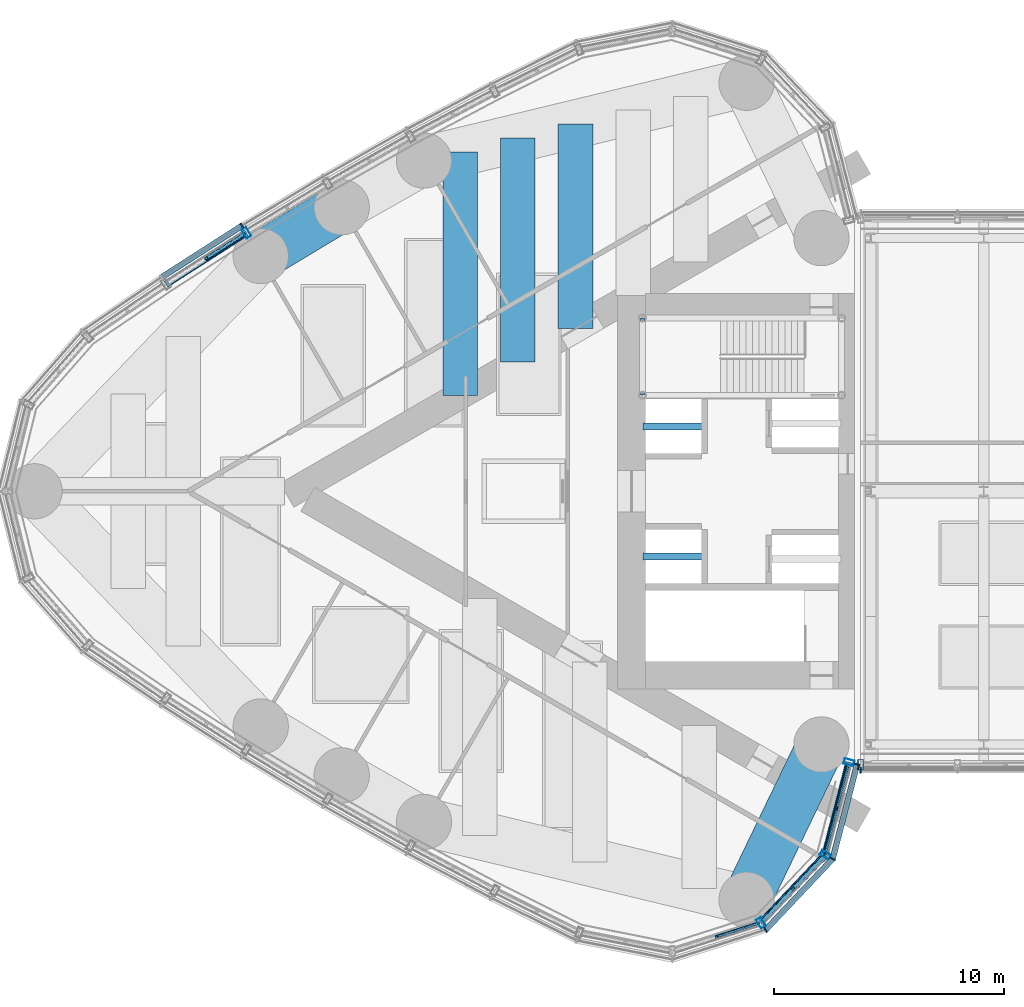
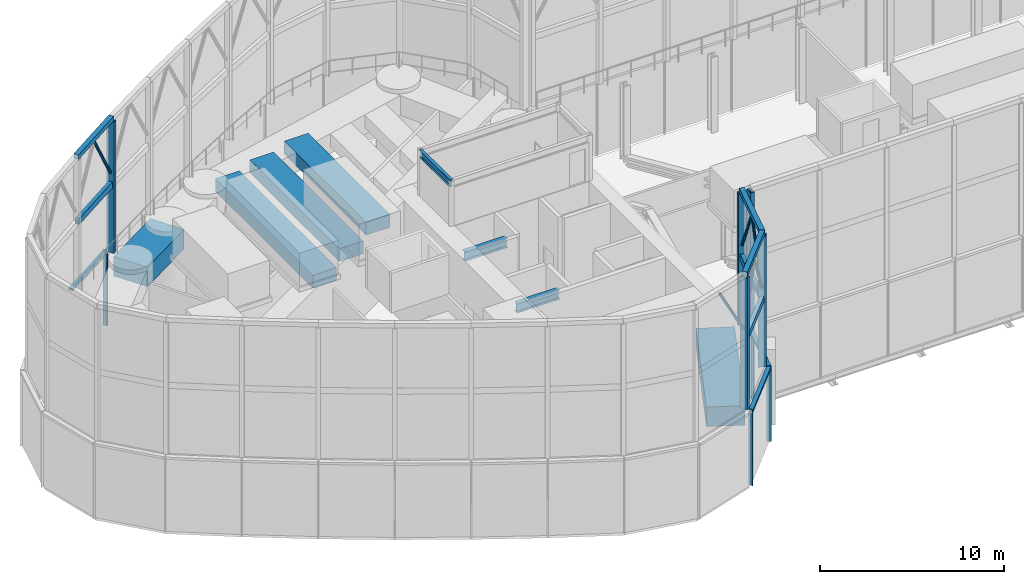
# One storey, part 9 of 33: 25 members, 8 beams, 4 elements without a shape of their own.
"""IFC4 building model written with IfcOpenShell, lengths in metres."""

from ifc_helpers import new_model, si_unit, direction, frame, origin, origin_2d, place, context, subcontext, project, spatial, rectangle, hollow_rectangle, hollow_circle, i_section, extrude, material, material_profile, profile_set, type_object, element, aggregate, save


model = new_model("IFC4")

# Units and contexts
model_context = context("Model", 3, precision=1e-05, world=origin(), true_north=direction((0.0, 1.0)))
body_context = subcontext(model_context, "Body", "Model", "MODEL_VIEW")
ifc_project = project(units=[si_unit("LENGTHUNIT", "METRE"), si_unit("AREAUNIT", "SQUARE_METRE"), si_unit("VOLUMEUNIT", "CUBIC_METRE"), si_unit("PLANEANGLEUNIT", "RADIAN"), si_unit("MASSUNIT", "GRAM", prefix="KILO")], contexts=[model_context])

# Site, building, storey
site_placement = place(None, origin())
site = spatial("IfcSite", under=ifc_project, at=site_placement, CompositionType="ELEMENT")
building_placement = place(site_placement, origin())
building = spatial("IfcBuilding", under=site, at=building_placement, Name="Lancet Gate Hotel", CompositionType="ELEMENT")
storey_placement = place(building_placement, frame((0.0, 0.0, 268.300048828125)))
storey = spatial("IfcBuildingStorey", under=building, at=storey_placement, Name="L70", CompositionType="ELEMENT", Elevation=268.300048828125)

# Curtain wall, members
ifc_material_1 = material(Name="Aluminium curtain wall", Category="aluminium")
curtain_wall_type_1 = type_object("IfcCurtainWallType", Name="Lantern crown glazing", PredefinedType="USERDEFINED", material=ifc_material_1)
curtain_wall_1_placement = place(storey_placement, origin())
curtain_wall_1 = element("IfcCurtainWall", 1, at=curtain_wall_1_placement, inside=storey, type_object=curtain_wall_type_1, Name="T1 L70 curtain wall 1", ObjectType="LANTERN GLAZING", PredefinedType="USERDEFINED")
ifc_material_2 = material(Name="Aluminium mullion", Category="aluminium")
ifc_material_profile_1 = material_profile(ifc_material_2, rectangle(XDim=0.06494140625, YDim=0.25, at=origin_2d()), Name="MULLION 65x250")
ifc_profile_set_1 = profile_set([ifc_material_profile_1], Name="Aluminium mullion")
member_type_1 = type_object("IfcMemberType", Name="Aluminium mullion 65x250", PredefinedType="MULLION", material=ifc_profile_set_1)
member_1_placement = place(storey_placement, frame((-54.225830078125, 11.535400390625, 0.0), z_axis=(0.0, 0.0, 1.0), x_axis=(-0.849342388216, -0.527842313176, 0.0)))
member_1 = element("IfcMember", 2, at=member_1_placement, type_object=member_type_1, Name="T1 L70 curtain wall 1 mullion 9", PredefinedType="MULLION", context=body_context, shape_type="SweptSolid", body=[
    extrude(rectangle(XDim=0.06494140625, YDim=0.25, at=origin_2d()), origin(), (0.0, 0.0, 1.0), 5.0),
])
member_2_placement = place(storey_placement, frame((-31.476318359375, -19.0576171875, 0.0), z_axis=(0.0, 0.0, 1.0), x_axis=(0.846612863, 0.532209225966, 0.0)))
member_2 = element("IfcMember", 3, at=member_2_placement, type_object=member_type_1, Name="T1 L70 curtain wall 1 mullion 23", PredefinedType="MULLION", context=body_context, shape_type="SweptSolid", body=[
    extrude(rectangle(XDim=0.06494140625, YDim=0.25, at=origin_2d()), origin(), (0.0, 0.0, 1.0), 5.0),
])
member_3_placement = place(storey_placement, frame((-28.56005859375, -15.97216796875, 0.0), z_axis=(0.0, 0.0, 1.0), x_axis=(0.483627322447, 0.875274021654, 0.0)))
member_3 = element("IfcMember", 4, at=member_3_placement, type_object=member_type_1, Name="T1 L70 curtain wall 1 mullion 24", PredefinedType="MULLION", context=body_context, shape_type="SweptSolid", body=[
    extrude(rectangle(XDim=0.06494140625, YDim=0.25, at=origin_2d()), origin(), (0.0, 0.0, 1.0), 5.0),
])
member_4_placement = place(storey_placement, frame((-27.5, -11.861572265625, 0.0), z_axis=(0.0, 0.0, 1.0), x_axis=(0.249725827997, 0.968316586056, 0.0)))
member_4 = element("IfcMember", 5, at=member_4_placement, type_object=member_type_1, Name="T1 L70 curtain wall 1 mullion 25", PredefinedType="MULLION", context=body_context, shape_type="SweptSolid", body=[
    extrude(rectangle(XDim=0.06494140625, YDim=0.25, at=origin_2d()), origin(), (0.0, 0.0, 1.0), 5.0),
])

# Curtain wall, member
curtain_wall_2_placement = place(storey_placement, origin())
curtain_wall_2 = element("IfcCurtainWall", 6, at=curtain_wall_2_placement, inside=storey, type_object=curtain_wall_type_1, Name="Bridge block L70 curtain wall S", ObjectType="LANTERN GLAZING", PredefinedType="USERDEFINED")
member_5_placement = place(storey_placement, frame((-27.35009765625, -12.1201171875, 0.0), z_axis=(0.0, 0.0, 1.0), x_axis=(1.0, 0.0, 0.0)))
member_5 = element("IfcMember", 7, at=member_5_placement, type_object=member_type_1, Name="Bridge block L70 curtain wall S mullion 1", PredefinedType="MULLION", context=body_context, shape_type="SweptSolid", body=[
    extrude(rectangle(XDim=0.06494140625, YDim=0.25, at=origin_2d()), origin(), (0.0, 0.0, 1.0), 5.0),
])
aggregate(curtain_wall_2, [member_5])

# Member
ifc_material_3 = material(Name="Aluminium transom", Category="aluminium")
ifc_material_profile_2 = material_profile(ifc_material_3, rectangle(XDim=0.25, YDim=0.14990234375, at=origin_2d()), Name="TRANSOM 250x150")
ifc_profile_set_2 = profile_set([ifc_material_profile_2], Name="Aluminium transom")
member_type_2 = type_object("IfcMemberType", Name="Aluminium transom 250x150", PredefinedType="USERDEFINED", material=ifc_profile_set_2)
member_6_placement = place(storey_placement, frame((-54.253173828125, 11.51806640625, 4.925048828125), z_axis=(-0.842144358733, -0.539252147937, 0.0), x_axis=(0.539252147937, -0.842144358733, 0.0)))
member_6 = element("IfcMember", 8, at=member_6_placement, type_object=member_type_2, Name="T1 L70 curtain wall 1 transom 9", ObjectType="TRANSOM", PredefinedType="USERDEFINED", context=body_context, shape_type="SweptSolid", body=[
    extrude(rectangle(XDim=0.25, YDim=0.14990234375, at=origin_2d()), origin(), (0.0, 0.0, 1.0), 4.084228515625),
])

member_7_placement = place(storey_placement, frame((-31.453857421875, -19.033935546875, 4.925048828125), z_axis=(0.686880731091, 0.726770157103, 0.0), x_axis=(-0.726770157103, 0.686880731091, 0.0)))
member_7 = element("IfcMember", 9, at=member_7_placement, type_object=member_type_2, Name="T1 L70 curtain wall 1 transom 23", ObjectType="TRANSOM", PredefinedType="USERDEFINED", context=body_context, shape_type="SweptSolid", body=[
    extrude(rectangle(XDim=0.25, YDim=0.14990234375, at=origin_2d()), origin(), (0.0, 0.0, 1.0), 4.18017578125),
])

member_8_placement = place(storey_placement, frame((-28.552001953125, -15.94091796875, 4.925048828125), z_axis=(0.249715522936, 0.968319243641, 0.0), x_axis=(-0.968319243641, 0.249715522936, 0.0)))
member_8 = element("IfcMember", 10, at=member_8_placement, type_object=member_type_2, Name="T1 L70 curtain wall 1 transom 24", ObjectType="TRANSOM", PredefinedType="USERDEFINED", context=body_context, shape_type="SweptSolid", body=[
    extrude(rectangle(XDim=0.25, YDim=0.14990234375, at=origin_2d()), origin(), (0.0, 0.0, 1.0), 4.180419921875),
])

aggregate(curtain_wall_1, [member_1, member_2, member_3, member_4, member_6, member_7, member_8])

# Beams
ifc_material_4 = material(Name="Concrete C50/60", Category="concrete")
ifc_material_profile_3 = material_profile(ifc_material_4, rectangle(XDim=2.10009765625, YDim=1.300048828125, at=origin_2d()), Name="RC 2100x1300")
ifc_profile_set_3 = profile_set([ifc_material_profile_3], Name="Concrete C50/60")
beam_type_1 = type_object("IfcBeamType", Name="Edge beam RC 2100x1300", PredefinedType="SPANDREL", material=ifc_profile_set_3)
beam_1_placement = place(storey_placement, frame((-49.89013671875, 12.340087890625, 4.050048828125), z_axis=(-0.856358061538, -0.516382484636, 0.0), x_axis=(0.516382484636, -0.856358061538, 0.0)))
element("IfcBeam", 11, at=beam_1_placement, inside=storey, type_object=beam_type_1, Name="T1 edge beam EB1 L70", PredefinedType="SPANDREL", context=body_context, shape_type="SweptSolid", body=[
    extrude(rectangle(XDim=2.10009765625, YDim=1.300048828125, at=origin_2d()), origin(), (0.0, 0.0, 1.0), 4.107666015625),
])
beam_2_placement = place(storey_placement, frame((-29.050048828125, -11.0, 4.050048828125), z_axis=(-0.434163599361, -0.900834040759, 0.0), x_axis=(0.900834040759, -0.434163599361, 0.0)))
element("IfcBeam", 12, at=beam_2_placement, inside=storey, type_object=beam_type_1, Name="T1 edge beam EB1 L70", PredefinedType="SPANDREL", context=body_context, shape_type="SweptSolid", body=[
    extrude(rectangle(XDim=2.10009765625, YDim=1.300048828125, at=origin_2d()), origin(), (0.0, 0.0, 1.0), 7.48779296875),
])
ifc_material_5 = material(Name="Concrete C50/60", Category="concrete")
ifc_material_profile_4 = material_profile(ifc_material_5, rectangle(XDim=1.5, YDim=0.85009765625, at=origin_2d()), Name="RC 1500x850")
ifc_profile_set_4 = profile_set([ifc_material_profile_4], Name="Concrete C50/60")
beam_type_2 = type_object("IfcBeamType", Name="Floor beam RC 1500x850", PredefinedType="BEAM", material=ifc_profile_set_4)
beam_3_placement = place(storey_placement, frame((-39.734130859375, 15.952880859375, 4.27490234375), z_axis=(0.0, -1.0, 0.0), x_axis=(1.0, 0.0, 0.0)))
element("IfcBeam", 13, at=beam_3_placement, inside=storey, type_object=beam_type_2, Name="T1 floor beam F05S L70", PredefinedType="BEAM", context=body_context, shape_type="SweptSolid", body=[
    extrude(rectangle(XDim=1.5, YDim=0.85009765625, at=origin_2d()), origin(), (0.0, 0.0, 1.0), 8.889404296875),
])
beam_4_placement = place(storey_placement, frame((-42.240966796875, 15.348388671875, 4.27490234375), z_axis=(0.0, -1.0, 0.0), x_axis=(1.0, 0.0, 0.0)))
element("IfcBeam", 14, at=beam_4_placement, inside=storey, type_object=beam_type_2, Name="T1 floor beam F06S L70", PredefinedType="BEAM", context=body_context, shape_type="SweptSolid", body=[
    extrude(rectangle(XDim=1.5, YDim=0.85009765625, at=origin_2d()), origin(), (0.0, 0.0, 1.0), 9.732421875),
])
beam_5_placement = place(storey_placement, frame((-44.747802734375, 14.743896484375, 4.27490234375), z_axis=(0.0, -1.0, 0.0), x_axis=(1.0, 0.0, 0.0)))
element("IfcBeam", 15, at=beam_5_placement, inside=storey, type_object=beam_type_2, Name="T1 floor beam F08S L70", PredefinedType="BEAM", context=body_context, shape_type="SweptSolid", body=[
    extrude(rectangle(XDim=1.5, YDim=0.85009765625, at=origin_2d()), origin(), (0.0, 0.0, 1.0), 10.5751953125),
])
ifc_material_6 = material(Name="Steel S355", Category="steel")
ifc_material_profile_5 = material_profile(ifc_material_6, i_section(OverallWidth=0.19140625, OverallDepth=0.4599609375, WebThickness=0.010009765625, FlangeThickness=0.01611328125, FilletRadius=0.01025390625, at=origin_2d()), Name="UKB 457x191x82")
ifc_profile_set_5 = profile_set([ifc_material_profile_5], Name="Steel S355")
beam_type_3 = type_object("IfcBeamType", Name="Head-house beam UKB 457x191x82", PredefinedType="BEAM", material=ifc_profile_set_5)
beam_6_placement = place(storey_placement, frame((-36.824951171875, 7.52490234375, 7.77001953125), z_axis=(0.0, -1.0, 0.0), x_axis=(1.0, 0.0, 0.0)))
element("IfcBeam", 16, at=beam_6_placement, inside=storey, type_object=beam_type_3, Name="T1 head-house beam back", PredefinedType="BEAM", context=body_context, shape_type="SweptSolid", body=[
    extrude(i_section(OverallWidth=0.19140625, OverallDepth=0.4599609375, WebThickness=0.010009765625, FlangeThickness=0.01611328125, FilletRadius=0.01025390625, at=origin_2d()), origin(), (0.0, 0.0, 1.0), 3.349853515625),
])

# Curtain wall, members
ifc_material_7 = material(Name="Steel framed lantern screen", Category="steel")
curtain_wall_type_2 = type_object("IfcCurtainWallType", Name="Lantern screen", PredefinedType="USERDEFINED", material=ifc_material_7)
curtain_wall_3_placement = place(storey_placement, origin())
curtain_wall_3 = element("IfcCurtainWall", 17, at=curtain_wall_3_placement, inside=storey, type_object=curtain_wall_type_2, Name="T1 lantern screen 1", ObjectType="LANTERN SCREEN", PredefinedType="USERDEFINED")
ifc_material_8 = material(Name="Steel S355", Category="steel")
ifc_material_profile_6 = material_profile(ifc_material_8, hollow_rectangle(XDim=0.300048828125, YDim=0.300048828125, WallThickness=0.012451171875, at=origin_2d()), Name="RHS 300x300x12.5")
ifc_profile_set_6 = profile_set([ifc_material_profile_6], Name="Steel S355")
member_type_3 = type_object("IfcMemberType", Name="Lantern cap beam RHS 300x300x12.5", PredefinedType="USERDEFINED", material=ifc_profile_set_6)
member_9_placement = place(storey_placement, frame((-54.03564453125, 11.229736328125, 13.849853515625), z_axis=(-0.842169634571, -0.539212672891, 0.0), x_axis=(0.539212672891, -0.842169634571, 0.0)))
member_9 = element("IfcMember", 18, at=member_9_placement, type_object=member_type_3, Name="T1 lantern screen 1 cap 9", ObjectType="LANTERN FRAME", PredefinedType="USERDEFINED", context=body_context, shape_type="SweptSolid", body=[
    extrude(hollow_rectangle(XDim=0.300048828125, YDim=0.300048828125, WallThickness=0.012451171875, at=origin_2d()), origin(), (0.0, 0.0, 1.0), 4.1396484375),
])
member_10_placement = place(storey_placement, frame((-31.674072265625, -18.742919921875, 13.849853515625), z_axis=(0.686890132184, 0.726761271883, 0.0), x_axis=(-0.726761271883, 0.686890132184, 0.0)))
member_10 = element("IfcMember", 19, at=member_10_placement, type_object=member_type_3, Name="T1 lantern screen 1 cap 23", ObjectType="LANTERN FRAME", PredefinedType="USERDEFINED", context=body_context, shape_type="SweptSolid", body=[
    extrude(hollow_rectangle(XDim=0.300048828125, YDim=0.300048828125, WallThickness=0.012451171875, at=origin_2d()), origin(), (0.0, 0.0, 1.0), 4.059814453125),
])
member_11_placement = place(storey_placement, frame((-28.885498046875, -15.79248046875, 13.849853515625), z_axis=(0.249694866457, 0.968324570413, 0.0), x_axis=(-0.968324570413, 0.249694866457, 0.0)))
member_11 = element("IfcMember", 20, at=member_11_placement, type_object=member_type_3, Name="T1 lantern screen 1 cap 24", ObjectType="LANTERN FRAME", PredefinedType="USERDEFINED", context=body_context, shape_type="SweptSolid", body=[
    extrude(hollow_rectangle(XDim=0.300048828125, YDim=0.300048828125, WallThickness=0.012451171875, at=origin_2d()), origin(), (0.0, 0.0, 1.0), 4.152587890625),
])
ifc_material_9 = material(Name="Steel S355", Category="steel")
ifc_material_profile_7 = material_profile(ifc_material_9, hollow_rectangle(XDim=0.25, YDim=0.449951171875, WallThickness=0.01611328125, at=origin_2d()), Name="RHS 450x250x16")
ifc_profile_set_7 = profile_set([ifc_material_profile_7], Name="Steel S355")
member_type_4 = type_object("IfcMemberType", Name="Lantern frame post RHS 450x250x16", PredefinedType="USERDEFINED", material=ifc_profile_set_7)
member_12_placement = place(storey_placement, frame((-54.03564453125, 11.229736328125, 5.0), z_axis=(0.0, 0.0, 1.0), x_axis=(-0.849342388216, -0.527842313176, 0.0)))
member_12 = element("IfcMember", 21, at=member_12_placement, type_object=member_type_4, Name="T1 lantern screen 1 frame post 9", ObjectType="LANTERN FRAME", PredefinedType="USERDEFINED", context=body_context, shape_type="SweptSolid", body=[
    extrude(hollow_rectangle(XDim=0.25, YDim=0.449951171875, WallThickness=0.01611328125, at=origin_2d()), origin(), (0.0, 0.0, 1.0), 8.699951171875),
])
member_13_placement = place(storey_placement, frame((-31.674072265625, -18.742919921875, 5.0), z_axis=(0.0, 0.0, 1.0), x_axis=(0.846612863, 0.532209225966, 0.0)))
member_13 = element("IfcMember", 22, at=member_13_placement, type_object=member_type_4, Name="T1 lantern screen 1 frame post 23", ObjectType="LANTERN FRAME", PredefinedType="USERDEFINED", context=body_context, shape_type="SweptSolid", body=[
    extrude(hollow_rectangle(XDim=0.25, YDim=0.449951171875, WallThickness=0.01611328125, at=origin_2d()), origin(), (0.0, 0.0, 1.0), 8.699951171875),
])
member_14_placement = place(storey_placement, frame((-28.885498046875, -15.79248046875, 5.0), z_axis=(0.0, 0.0, 1.0), x_axis=(0.483627322447, 0.875274021654, 0.0)))
member_14 = element("IfcMember", 23, at=member_14_placement, type_object=member_type_4, Name="T1 lantern screen 1 frame post 24", ObjectType="LANTERN FRAME", PredefinedType="USERDEFINED", context=body_context, shape_type="SweptSolid", body=[
    extrude(hollow_rectangle(XDim=0.25, YDim=0.449951171875, WallThickness=0.01611328125, at=origin_2d()), origin(), (0.0, 0.0, 1.0), 8.699951171875),
])
member_15_placement = place(storey_placement, frame((-27.8486328125, -11.771484375, 5.0), z_axis=(0.0, 0.0, 1.0), x_axis=(0.249725827997, 0.968316586056, 0.0)))
member_15 = element("IfcMember", 24, at=member_15_placement, type_object=member_type_4, Name="T1 lantern screen 1 frame post 25", ObjectType="LANTERN FRAME", PredefinedType="USERDEFINED", context=body_context, shape_type="SweptSolid", body=[
    extrude(hollow_rectangle(XDim=0.25, YDim=0.449951171875, WallThickness=0.01611328125, at=origin_2d()), origin(), (0.0, 0.0, 1.0), 8.699951171875),
])

# Curtain wall, member
curtain_wall_4_placement = place(storey_placement, origin())
curtain_wall_4 = element("IfcCurtainWall", 25, at=curtain_wall_4_placement, inside=storey, type_object=curtain_wall_type_2, Name="Bridge block lantern screen S", ObjectType="LANTERN SCREEN", PredefinedType="USERDEFINED")
member_16_placement = place(storey_placement, frame((-27.35009765625, -11.8798828125, 5.0), z_axis=(0.0, 0.0, 1.0), x_axis=(1.0, 0.0, 0.0)))
member_16 = element("IfcMember", 26, at=member_16_placement, type_object=member_type_4, Name="Bridge block lantern screen S frame post 1", ObjectType="LANTERN FRAME", PredefinedType="USERDEFINED", context=body_context, shape_type="SweptSolid", body=[
    extrude(hollow_rectangle(XDim=0.25, YDim=0.449951171875, WallThickness=0.01611328125, at=origin_2d()), origin(), (0.0, 0.0, 1.0), 8.699951171875),
])
aggregate(curtain_wall_4, [member_16])

# Member
ifc_material_10 = material(Name="Steel S355", Category="steel")
ifc_material_profile_8 = material_profile(ifc_material_10, hollow_circle(Radius=0.084228515625, WallThickness=0.008056640625, at=origin_2d()), Name="CHS 168.3x8.0")
ifc_profile_set_8 = profile_set([ifc_material_profile_8], Name="Steel S355")
member_type_5 = type_object("IfcMemberType", Name="Lantern lancet head CHS 168.3x8", PredefinedType="USERDEFINED", material=ifc_profile_set_8)
member_17_placement = place(storey_placement, frame((-54.140869140625, 11.162353515625, 10.300048828125), z_axis=(-0.426106754624, -0.272787078716, 0.86256608057), x_axis=(0.53916412091, -0.842200718786, 0.0)))
member_17 = element("IfcMember", 27, at=member_17_placement, type_object=member_type_5, Name="T1 lantern screen 1 lancet head 9A", ObjectType="LANTERN FRAME", PredefinedType="USERDEFINED", context=body_context, shape_type="SweptSolid", body=[
    extrude(hollow_circle(Radius=0.084228515625, WallThickness=0.008056640625, at=origin_2d()), origin(), (0.0, 0.0, 1.0), 3.843994140625),
])

member_18_placement = place(storey_placement, frame((-31.793212890625, -18.781005859375, 10.300048828125), z_axis=(-0.474572265672, -0.151380444223, 0.867101566001), x_axis=(0.303896621532, -0.952705013853, 0.0)))
member_18 = element("IfcMember", 28, at=member_18_placement, type_object=member_type_5, Name="T1 lantern screen 1 lancet head 22B", ObjectType="LANTERN FRAME", PredefinedType="USERDEFINED", context=body_context, shape_type="SweptSolid", body=[
    extrude(hollow_circle(Radius=0.084228515625, WallThickness=0.008056640625, at=origin_2d()), origin(), (0.0, 0.0, 1.0), 3.823974609375),
])

member_19_placement = place(storey_placement, frame((-31.588134765625, -18.652099609375, 10.300048828125), z_axis=(0.342148707832, 0.362068543033, 0.867087441885), x_axis=(-0.726817636506, 0.686830490925, 0.0)))
member_19 = element("IfcMember", 29, at=member_19_placement, type_object=member_type_5, Name="T1 lantern screen 1 lancet head 23A", ObjectType="LANTERN FRAME", PredefinedType="USERDEFINED", context=body_context, shape_type="SweptSolid", body=[
    extrude(hollow_circle(Radius=0.084228515625, WallThickness=0.008056640625, at=origin_2d()), origin(), (0.0, 0.0, 1.0), 3.823974609375),
])

member_20_placement = place(storey_placement, frame((-28.971435546875, -15.88330078125, 10.300048828125), z_axis=(-0.342156616687, -0.362013065239, 0.867107484833), x_axis=(0.726757168503, -0.686894473722, 0.0)))
member_20 = element("IfcMember", 30, at=member_20_placement, type_object=member_type_5, Name="T1 lantern screen 1 lancet head 23B", ObjectType="LANTERN FRAME", PredefinedType="USERDEFINED", context=body_context, shape_type="SweptSolid", body=[
    extrude(hollow_circle(Radius=0.084228515625, WallThickness=0.008056640625, at=origin_2d()), origin(), (0.0, 0.0, 1.0), 3.82373046875),
])

member_21_placement = place(storey_placement, frame((-28.854248046875, -15.67138671875, 10.300048828125), z_axis=(0.126602069329, 0.491114493503, 0.861845966697), x_axis=(-0.968342721756, 0.249624464389, 0.0)))
member_21 = element("IfcMember", 31, at=member_21_placement, type_object=member_type_5, Name="T1 lantern screen 1 lancet head 24A", ObjectType="LANTERN FRAME", PredefinedType="USERDEFINED", context=body_context, shape_type="SweptSolid", body=[
    extrude(hollow_circle(Radius=0.084228515625, WallThickness=0.008056640625, at=origin_2d()), origin(), (0.0, 0.0, 1.0), 3.84716796875),
])

member_22_placement = place(storey_placement, frame((-27.8798828125, -11.892578125, 10.300048828125), z_axis=(-0.126664511123, -0.491110546886, 0.861839040865), x_axis=(0.968312470114, -0.249741787097, 0.0)))
member_22 = element("IfcMember", 32, at=member_22_placement, type_object=member_type_5, Name="T1 lantern screen 1 lancet head 24B", ObjectType="LANTERN FRAME", PredefinedType="USERDEFINED", context=body_context, shape_type="SweptSolid", body=[
    extrude(hollow_circle(Radius=0.084228515625, WallThickness=0.008056640625, at=origin_2d()), origin(), (0.0, 0.0, 1.0), 3.84716796875),
])

ifc_material_11 = material(Name="Steel S355", Category="steel")
ifc_material_profile_9 = material_profile(ifc_material_11, hollow_rectangle(XDim=0.25, YDim=0.39990234375, WallThickness=0.012451171875, at=origin_2d()), Name="RHS 400x250x12.5")
ifc_profile_set_9 = profile_set([ifc_material_profile_9], Name="Steel S355")
member_type_6 = type_object("IfcMemberType", Name="Lantern ring beam RHS 400x250x12.5", PredefinedType="USERDEFINED", material=ifc_profile_set_9)
member_23_placement = place(storey_placement, frame((-54.140869140625, 11.162353515625, 9.5), z_axis=(-0.842153967359, -0.539237141953, 0.0), x_axis=(0.539237141953, -0.842153967359, 0.0)))
member_23 = element("IfcMember", 33, at=member_23_placement, type_object=member_type_6, Name="T1 lantern screen 1 ring 9", ObjectType="LANTERN FRAME", PredefinedType="USERDEFINED", context=body_context, shape_type="SweptSolid", body=[
    extrude(hollow_rectangle(XDim=0.25, YDim=0.39990234375, WallThickness=0.012451171875, at=origin_2d()), origin(), (0.0, 0.0, 1.0), 3.8896484375),
])

member_24_placement = place(storey_placement, frame((-31.588134765625, -18.652099609375, 9.5), z_axis=(0.686862481499, 0.726787404616, 0.0), x_axis=(-0.726787404616, 0.686862481499, 0.0)))
member_24 = element("IfcMember", 34, at=member_24_placement, type_object=member_type_6, Name="T1 lantern screen 1 ring 23", ObjectType="LANTERN FRAME", PredefinedType="USERDEFINED", context=body_context, shape_type="SweptSolid", body=[
    extrude(hollow_rectangle(XDim=0.25, YDim=0.39990234375, WallThickness=0.012451171875, at=origin_2d()), origin(), (0.0, 0.0, 1.0), 3.8095703125),
])

member_25_placement = place(storey_placement, frame((-28.854248046875, -15.67138671875, 9.5), z_axis=(0.249683127118, 0.968327597476, 0.0), x_axis=(-0.968327597476, 0.249683127118, 0.0)))
member_25 = element("IfcMember", 35, at=member_25_placement, type_object=member_type_6, Name="T1 lantern screen 1 ring 24", ObjectType="LANTERN FRAME", PredefinedType="USERDEFINED", context=body_context, shape_type="SweptSolid", body=[
    extrude(hollow_rectangle(XDim=0.25, YDim=0.39990234375, WallThickness=0.012451171875, at=origin_2d()), origin(), (0.0, 0.0, 1.0), 3.90234375),
])

aggregate(curtain_wall_3, [member_12, member_13, member_14, member_15, member_9, member_23, member_17, member_18, member_10, member_24, member_19, member_20, member_11, member_25, member_21, member_22])

# Beams
ifc_material_12 = material(Name="Steel S355", Category="steel")
ifc_material_profile_10 = material_profile(ifc_material_12, i_section(OverallWidth=0.3046875, OverallDepth=0.6123046875, WebThickness=0.01171875, FlangeThickness=0.019775390625, FilletRadius=0.0166015625, at=origin_2d()), Name="UKB 610x305x149")
ifc_profile_set_10 = profile_set([ifc_material_profile_10], Name="Steel S355")
beam_type_4 = type_object("IfcBeamType", Name="Lift lifting beam UKB 610x305x149", PredefinedType="BEAM", material=ifc_profile_set_10)
for number, where, z_axis, x_axis, name in (
    (36, (-34.14990234375, 2.824951171875, 3.793701171875), (-1.0, 0.0, 0.0), (0.0, -1.0, 0.0), "T1 lifting beam OL3"),
    (37, (-34.14990234375, -2.824951171875, 3.793701171875), (-1.0, 0.0, 0.0), (0.0, -1.0, 0.0), "T1 lifting beam OL4"),
):
    element("IfcBeam", number, at=place(storey_placement, frame(where, z_axis=z_axis, x_axis=x_axis)), inside=storey, type_object=beam_type_4, Name=name, PredefinedType="BEAM", context=body_context, shape_type="SweptSolid", body=[
        extrude(i_section(OverallWidth=0.3046875, OverallDepth=0.6123046875, WebThickness=0.01171875, FlangeThickness=0.019775390625, FilletRadius=0.0166015625, at=origin_2d()), origin(), (0.0, 0.0, 1.0), 2.650146484375),
    ])

save(model, "model.ifc")
